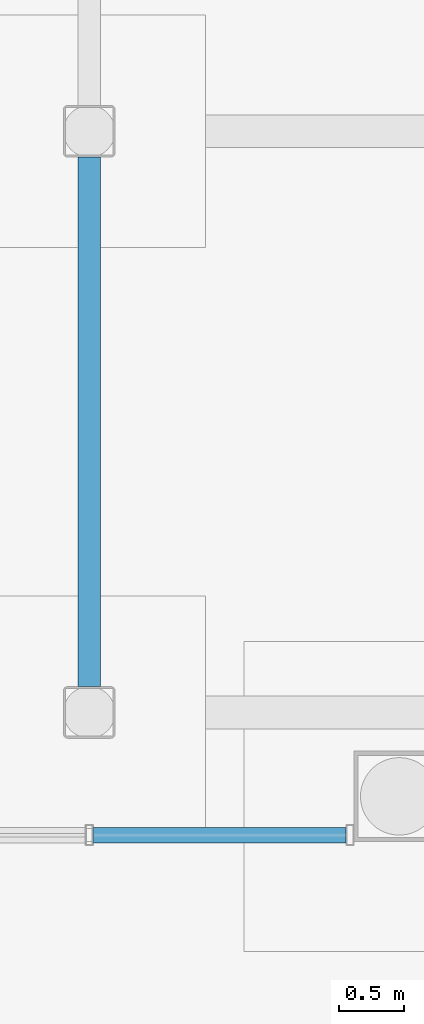
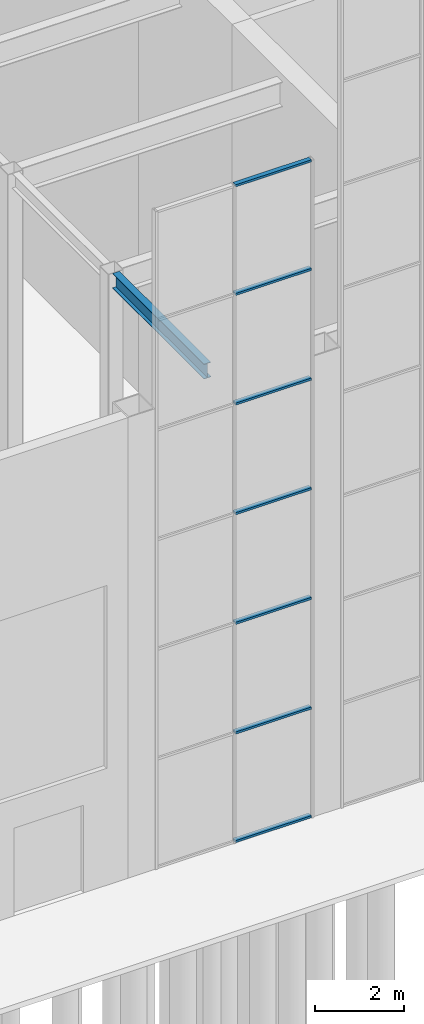
# One storey, part 29 of 58: 7 members, 1 beam, 1 element without a shape of its own.
"""IFC4 building model written with IfcOpenShell, lengths in metres."""

from ifc_helpers import new_model, si_unit, direction, frame, origin, origin_2d, place, context, subcontext, project, spatial, hollow_rectangle, i_section, extrude, material, layer, layer_set, material_profile, profile_set, type_object, element, aggregate, save


model = new_model("IFC4")

# Units and contexts
model_context = context("Model", 3, precision=1e-05, world=origin(), true_north=direction((0.0, 1.0)))
body_context = subcontext(model_context, "Body", "Model", "MODEL_VIEW")
ifc_project = project(units=[si_unit("LENGTHUNIT", "METRE"), si_unit("AREAUNIT", "SQUARE_METRE"), si_unit("VOLUMEUNIT", "CUBIC_METRE"), si_unit("PLANEANGLEUNIT", "RADIAN"), si_unit("MASSUNIT", "GRAM", prefix="KILO")], contexts=[model_context])

# Site, building, storey
site_placement = place(None, origin())
site = spatial("IfcSite", under=ifc_project, at=site_placement, CompositionType="ELEMENT")
building_placement = place(site_placement, origin())
building = spatial("IfcBuilding", under=site, at=building_placement, Name="Baori Bourse Tower", CompositionType="ELEMENT")
storey_placement = place(building_placement, origin())
storey = spatial("IfcBuildingStorey", under=building, at=storey_placement, Name="L00", CompositionType="ELEMENT", Elevation=0.0)

# Beam
ifc_material_1 = material(Name="Steel A992 Gr 50", Category="steel")
ifc_material_profile_1 = material_profile(ifc_material_1, i_section(OverallWidth=0.177734375, OverallDepth=0.406494140625, WebThickness=0.0078125, FlangeThickness=0.012939453125, at=origin_2d()), Name="W16x40")
ifc_profile_set_1 = profile_set([ifc_material_profile_1], Name="Steel A992 Gr 50")
beam_type = type_object("IfcBeamType", Name="Wing beam W16x40", PredefinedType="BEAM", material=ifc_profile_set_1)
beam_placement = place(storey_placement, frame((50.39990234375, -24.0, 12.19677734375), z_axis=(0.0, 1.0, 0.0), x_axis=(-1.0, 0.0, 0.0)))
element("IfcBeam", 1, at=beam_placement, inside=storey, type_object=beam_type, Name="wing/L00/galbeam/012", PredefinedType="BEAM", context=body_context, shape_type="SweptSolid", body=[
    extrude(i_section(OverallWidth=0.177734375, OverallDepth=0.406494140625, WebThickness=0.0078125, FlangeThickness=0.012939453125, at=origin_2d()), origin(), (0.0, 0.0, 1.0), 4.10009765625),
])

# Curtain wall, members
ifc_material_2 = material(Name="Pale anodised aluminium", Category="aluminium")
ifc_layer = layer(ifc_material_2, 0.10009765625)
ifc_layer_set = layer_set([ifc_layer], Name="Wing curtain wall")
curtain_wall_type = type_object("IfcCurtainWallType", Name="Wing curtain wall", PredefinedType="NOTDEFINED", material=ifc_layer_set)
curtain_wall_placement = place(storey_placement, origin())
curtain_wall = element("IfcCurtainWall", 2, at=curtain_wall_placement, inside=storey, type_object=curtain_wall_type, Name="wing/L00/hallcw/007", PredefinedType="NOTDEFINED")
ifc_material_3 = material(Name="Pale anodised aluminium", Category="aluminium")
ifc_material_profile_2 = material_profile(ifc_material_3, hollow_rectangle(XDim=0.1201171875, YDim=0.06005859375, WallThickness=0.0048828125, at=origin_2d()), Name="Transom 120x60x5")
ifc_profile_set_2 = profile_set([ifc_material_profile_2], Name="Pale anodised aluminium")
member_type = type_object("IfcMemberType", Name="Wing transom 120x60", PredefinedType="USERDEFINED", material=ifc_profile_set_2)
member_1_placement = place(storey_placement, frame((50.429931640625, -25.14990234375, 0.030029296875), z_axis=(1.0, 0.0, 0.0), x_axis=(0.0, 1.0, 0.0)))
member_1 = element("IfcMember", 3, at=member_1_placement, type_object=member_type, Name="X12 transom 2.1", ObjectType="TRANSOM", PredefinedType="USERDEFINED", context=body_context, shape_type="SweptSolid", body=[
    extrude(hollow_rectangle(XDim=0.1201171875, YDim=0.06005859375, WallThickness=0.0048828125, at=origin_2d()), origin(), (0.0, 0.0, 1.0), 1.9599609375),
])
member_2_placement = place(storey_placement, frame((50.429931640625, -25.14990234375, 3.0), z_axis=(1.0, 0.0, 0.0), x_axis=(0.0, 1.0, 0.0)))
member_2 = element("IfcMember", 4, at=member_2_placement, type_object=member_type, Name="X12 transom 2.2", ObjectType="TRANSOM", PredefinedType="USERDEFINED", context=body_context, shape_type="SweptSolid", body=[
    extrude(hollow_rectangle(XDim=0.1201171875, YDim=0.06005859375, WallThickness=0.0048828125, at=origin_2d()), origin(), (0.0, 0.0, 1.0), 1.9599609375),
])
member_3_placement = place(storey_placement, frame((50.429931640625, -25.14990234375, 6.0), z_axis=(1.0, 0.0, 0.0), x_axis=(0.0, 1.0, 0.0)))
member_3 = element("IfcMember", 5, at=member_3_placement, type_object=member_type, Name="X12 transom 2.3", ObjectType="TRANSOM", PredefinedType="USERDEFINED", context=body_context, shape_type="SweptSolid", body=[
    extrude(hollow_rectangle(XDim=0.1201171875, YDim=0.06005859375, WallThickness=0.0048828125, at=origin_2d()), origin(), (0.0, 0.0, 1.0), 1.9599609375),
])
member_4_placement = place(storey_placement, frame((50.429931640625, -25.14990234375, 9.0), z_axis=(1.0, 0.0, 0.0), x_axis=(0.0, 1.0, 0.0)))
member_4 = element("IfcMember", 6, at=member_4_placement, type_object=member_type, Name="X12 transom 2.4", ObjectType="TRANSOM", PredefinedType="USERDEFINED", context=body_context, shape_type="SweptSolid", body=[
    extrude(hollow_rectangle(XDim=0.1201171875, YDim=0.06005859375, WallThickness=0.0048828125, at=origin_2d()), origin(), (0.0, 0.0, 1.0), 1.9599609375),
])
member_5_placement = place(storey_placement, frame((50.429931640625, -25.14990234375, 12.0), z_axis=(1.0, 0.0, 0.0), x_axis=(0.0, 1.0, 0.0)))
member_5 = element("IfcMember", 7, at=member_5_placement, type_object=member_type, Name="X12 transom 2.5", ObjectType="TRANSOM", PredefinedType="USERDEFINED", context=body_context, shape_type="SweptSolid", body=[
    extrude(hollow_rectangle(XDim=0.1201171875, YDim=0.06005859375, WallThickness=0.0048828125, at=origin_2d()), origin(), (0.0, 0.0, 1.0), 1.9599609375),
])
member_6_placement = place(storey_placement, frame((50.429931640625, -25.14990234375, 15.0), z_axis=(1.0, 0.0, 0.0), x_axis=(0.0, 1.0, 0.0)))
member_6 = element("IfcMember", 8, at=member_6_placement, type_object=member_type, Name="X12 transom 2.6", ObjectType="TRANSOM", PredefinedType="USERDEFINED", context=body_context, shape_type="SweptSolid", body=[
    extrude(hollow_rectangle(XDim=0.1201171875, YDim=0.06005859375, WallThickness=0.0048828125, at=origin_2d()), origin(), (0.0, 0.0, 1.0), 1.9599609375),
])
member_7_placement = place(storey_placement, frame((50.429931640625, -25.14990234375, 17.969970703125), z_axis=(1.0, 0.0, 0.0), x_axis=(0.0, 1.0, 0.0)))
member_7 = element("IfcMember", 9, at=member_7_placement, type_object=member_type, Name="X12 transom 2.7", ObjectType="TRANSOM", PredefinedType="USERDEFINED", context=body_context, shape_type="SweptSolid", body=[
    extrude(hollow_rectangle(XDim=0.1201171875, YDim=0.06005859375, WallThickness=0.0048828125, at=origin_2d()), origin(), (0.0, 0.0, 1.0), 1.9599609375),
])
aggregate(curtain_wall, [member_1, member_2, member_3, member_4, member_5, member_6, member_7])

save(model, "model.ifc")
